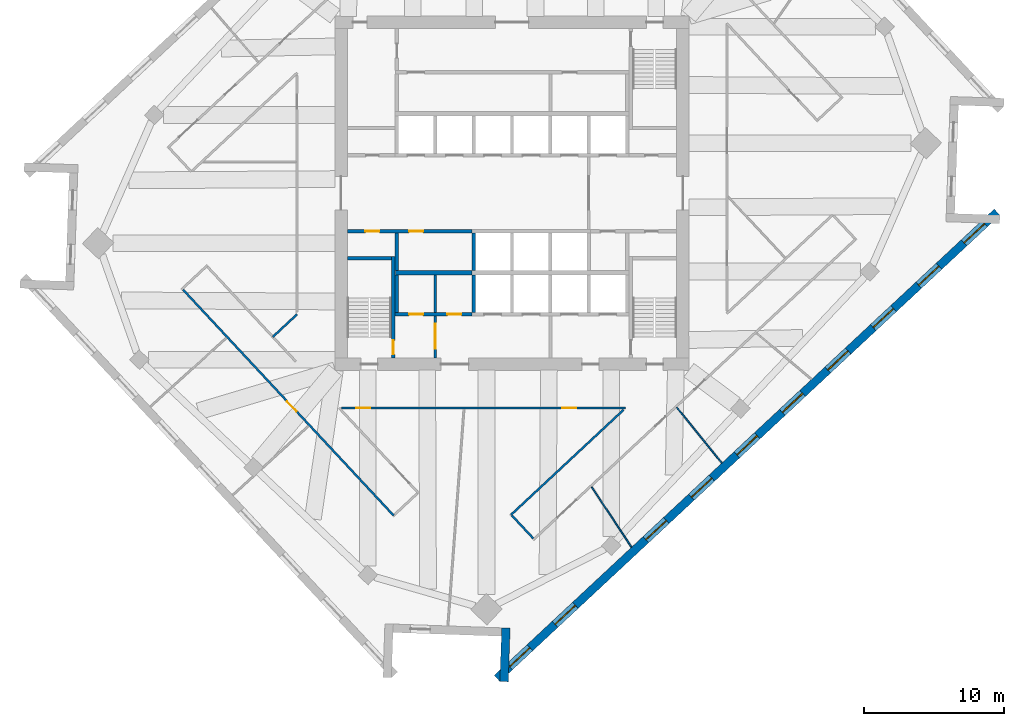
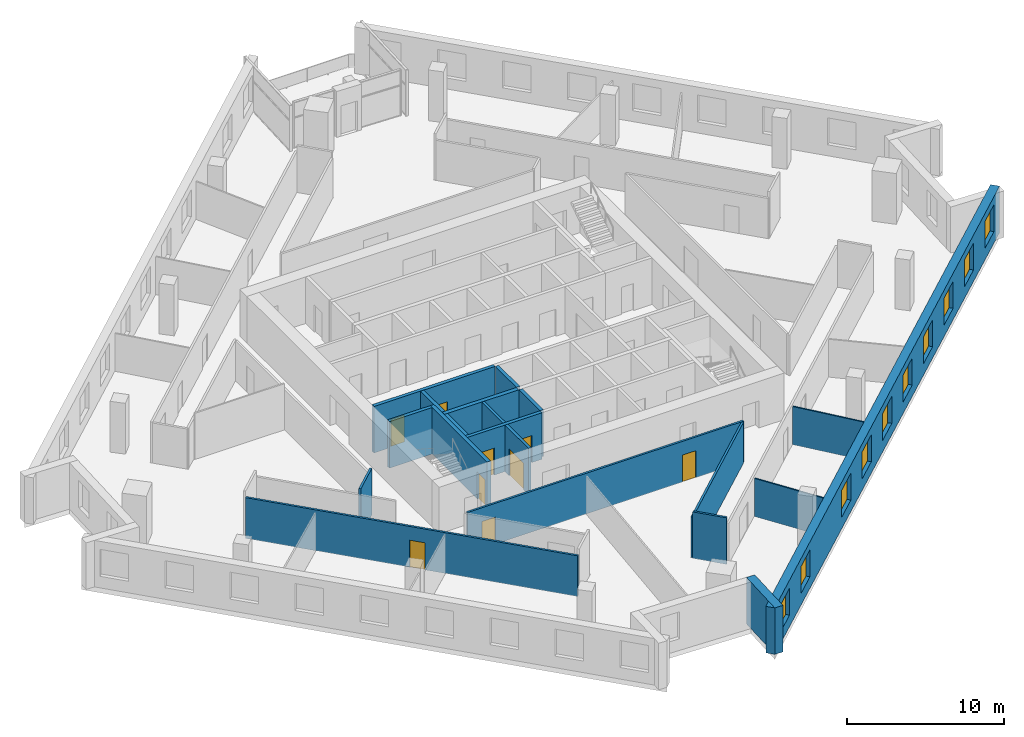
# One storey, part 4 of 10: 20 walls, 10 windows, 9 doors, 19 openings.
"""IFC4 building model written with IfcOpenShell, lengths in metres."""

from ifc_helpers import new_model, si_unit, direction, frame, frame_2d, origin, place, context, subcontext, project, spatial, rectangle, extrude, material, layer, layer_set, type_object, element, fill, save


model = new_model("IFC4")

# Units and contexts
model_context = context("Model", 3, precision=1e-05, world=origin(), true_north=direction((0.0, 1.0)))
body_context = subcontext(model_context, "Body", "Model", "MODEL_VIEW")
ifc_project = project(units=[si_unit("LENGTHUNIT", "METRE"), si_unit("AREAUNIT", "SQUARE_METRE"), si_unit("VOLUMEUNIT", "CUBIC_METRE"), si_unit("PLANEANGLEUNIT", "RADIAN"), si_unit("MASSUNIT", "GRAM", prefix="KILO")], contexts=[model_context])

# Site, building, storey
site_placement = place(None, origin())
site = spatial("IfcSite", under=ifc_project, at=site_placement, CompositionType="ELEMENT")
building_placement = place(site_placement, origin())
building = spatial("IfcBuilding", under=site, at=building_placement, Name="Dilmun Exchange Tower", CompositionType="ELEMENT")
storey_placement = place(building_placement, frame((0.0, 0.0, 197.300048828125)))
storey = spatial("IfcBuildingStorey", under=building, at=storey_placement, Name="L46", CompositionType="ELEMENT", Elevation=197.300048828125)

# Wall, opening, door
ifc_material_1 = material(Name="Concrete C40/50", Category="concrete")
ifc_layer_1 = layer(ifc_material_1, 0.199951171875)
ifc_layer_set_1 = layer_set([ifc_layer_1], Name="Concrete C40/50")
wall_type_1 = type_object("IfcWallType", Name="Core partition wall 200", PredefinedType="PARTITIONING", material=ifc_layer_set_1)
wall_1_placement = place(storey_placement, frame((-5.5, -11.794921875, 0.0), z_axis=(0.0, 0.0, 1.0), x_axis=(0.0, 1.0, 0.0)))
wall_1 = element("IfcWall", 1, at=wall_1_placement, inside=storey, type_object=wall_type_1, Name="L46 core partition wall 01", PredefinedType="PARTITIONING", context=body_context, shape_type="SweptSolid", body=[
    extrude(rectangle(XDim=2.989990234375, YDim=0.199951171875, at=frame_2d((1.4951171875, 0.0))), origin(), (0.0, 0.0, 1.0), 3.619873046875),
])
opening_1_placement = place(wall_1_placement, frame((0.657470703125, 0.0, 0.0)))
opening_1 = element("IfcOpeningElement", 2, at=opening_1_placement, cuts=wall_1, Name="Opening CD5", PredefinedType="OPENING", context=body_context, shape_type="SweptSolid", body=[
    extrude(rectangle(XDim=1.800048828125, YDim=2.10009765625, at=frame_2d((0.89990234375, 1.050048828125))), frame((0.0, 0.10986328125, 0.0), z_axis=(0.0, -1.0, 0.0), x_axis=(1.0, 0.0, 0.0)), (0.0, 0.0, 1.0), 0.219970703125),
])
ifc_material_2 = material(Name="Fire-rated steel door set", Category="steel")
door_type_1 = type_object("IfcDoorType", Name="Stair exit door 1800x2100", OperationType="SINGLE_SWING_LEFT", PredefinedType="DOOR", material=ifc_material_2)
door_1_placement = place(opening_1_placement, origin())
door_1 = element("IfcDoor", 3, at=door_1_placement, inside=storey, type_object=door_type_1, Name="L46 door Service lobby east", OperationType="SINGLE_SWING_LEFT", OverallHeight=2.10009765625, OverallWidth=1.800048828125, PredefinedType="DOOR", context=body_context, shape_type="SweptSolid", body=[
    extrude(rectangle(XDim=1.800048828125, YDim=2.10009765625, at=frame_2d((0.89990234375, 1.050048828125))), frame((0.0, 0.02490234375, 0.0), z_axis=(0.0, -1.0, 0.0), x_axis=(1.0, 0.0, 0.0)), (0.0, 0.0, 1.0), 0.050048828125),
])
fill(opening_1, door_1)

# Wall
wall_2_placement = place(storey_placement, frame((-5.5, -8.544921875, 0.0), z_axis=(0.0, 0.0, 1.0), x_axis=(0.0, 1.0, 0.0)))
element("IfcWall", 4, at=wall_2_placement, inside=storey, type_object=wall_type_1, Name="L46 core partition wall 05", PredefinedType="PARTITIONING", context=body_context, shape_type="SweptSolid", body=[
    extrude(rectangle(XDim=2.68994140625, YDim=0.199951171875, at=frame_2d((1.344970703125, 0.0))), origin(), (0.0, 0.0, 1.0), 3.619873046875),
])

# Wall, openings, doors
ifc_layer_2 = layer(ifc_material_1, 0.25)
ifc_layer_set_2 = layer_set([ifc_layer_2], Name="Concrete C40/50")
wall_type_2 = type_object("IfcWallType", Name="Core partition wall 250", PredefinedType="PARTITIONING", material=ifc_layer_set_2)
wall_3_placement = place(storey_placement, frame((-8.3701171875, -8.675048828125, 0.0), z_axis=(0.0, 0.0, 1.0), x_axis=(1.0, 0.0, 0.0)))
wall_3 = element("IfcWall", 5, at=wall_3_placement, inside=storey, type_object=wall_type_2, Name="L46 core partition wall 03", PredefinedType="PARTITIONING", context=body_context, shape_type="SweptSolid", body=[
    extrude(rectangle(XDim=5.490234375, YDim=0.25, at=frame_2d((2.7451171875, 0.0))), origin(), (0.0, 0.0, 1.0), 3.619873046875),
])
opening_2_placement = place(wall_3_placement, frame((0.9951171875, 0.0, 0.0)))
opening_2 = element("IfcOpeningElement", 6, at=opening_2_placement, cuts=wall_3, Name="Opening CD4", PredefinedType="OPENING", context=body_context, shape_type="SweptSolid", body=[
    extrude(rectangle(XDim=1.0, YDim=2.10009765625, at=frame_2d((0.5, 1.050048828125))), frame((0.0, 0.135009765625, 0.0), z_axis=(0.0, -1.0, 0.0), x_axis=(1.0, 0.0, 0.0)), (0.0, 0.0, 1.0), 0.27001953125),
])
opening_3_placement = place(wall_3_placement, frame((3.7451171875, 0.0, 0.0)))
opening_3 = element("IfcOpeningElement", 7, at=opening_3_placement, cuts=wall_3, Name="Opening CD4", PredefinedType="OPENING", context=body_context, shape_type="SweptSolid", body=[
    extrude(rectangle(XDim=1.0, YDim=2.10009765625, at=frame_2d((0.5, 1.050048828125))), frame((0.0, 0.135009765625, 0.0), z_axis=(0.0, -1.0, 0.0), x_axis=(1.0, 0.0, 0.0)), (0.0, 0.0, 1.0), 0.27001953125),
])
door_type_2 = type_object("IfcDoorType", Name="Core room door 1000x2100", OperationType="SINGLE_SWING_LEFT", PredefinedType="DOOR", material=ifc_material_2)
door_2_placement = place(opening_2_placement, origin())
door_2 = element("IfcDoor", 8, at=door_2_placement, inside=storey, type_object=door_type_2, Name="L46 door Male WC", OperationType="SINGLE_SWING_LEFT", OverallHeight=2.10009765625, OverallWidth=1.0, PredefinedType="DOOR", context=body_context, shape_type="SweptSolid", body=[
    extrude(rectangle(XDim=1.0, YDim=2.10009765625, at=frame_2d((0.5, 1.050048828125))), frame((0.0, 0.02490234375, 0.0), z_axis=(0.0, -1.0, 0.0), x_axis=(1.0, 0.0, 0.0)), (0.0, 0.0, 1.0), 0.050048828125),
])
fill(opening_2, door_2)
door_3_placement = place(opening_3_placement, origin())
door_3 = element("IfcDoor", 9, at=door_3_placement, inside=storey, type_object=door_type_2, Name="L46 door Female WC", OperationType="SINGLE_SWING_LEFT", OverallHeight=2.10009765625, OverallWidth=1.0, PredefinedType="DOOR", context=body_context, shape_type="SweptSolid", body=[
    extrude(rectangle(XDim=1.0, YDim=2.10009765625, at=frame_2d((0.5, 1.050048828125))), frame((0.0, 0.02490234375, 0.0), z_axis=(0.0, -1.0, 0.0), x_axis=(1.0, 0.0, 0.0)), (0.0, 0.0, 1.0), 0.050048828125),
])
fill(opening_3, door_3)

# Walls
for number, where, z_axis, x_axis, name in (
    (10, (-8.25, -8.544921875, 0.0), (0.0, 0.0, 1.0), (0.0, 1.0, 0.0), "L46 core partition wall 04"),
    (11, (-8.25, -5.544921875, 0.0), (0.0, 0.0, 1.0), (0.0, 1.0, 0.0), "L46 core partition wall 07"),
):
    element("IfcWall", number, at=place(storey_placement, frame(where, z_axis=z_axis, x_axis=x_axis)), inside=storey, type_object=wall_type_2, Name=name, PredefinedType="PARTITIONING", context=body_context, shape_type="SweptSolid", body=[
        extrude(rectangle(XDim=2.68994140625, YDim=0.25, at=frame_2d((1.344970703125, 0.0))), origin(), (0.0, 0.0, 1.0), 3.619873046875),
    ])

# Wall, openings, doors
wall_4_placement = place(storey_placement, frame((-11.794921875, -2.72509765625, 0.0), z_axis=(0.0, 0.0, 1.0), x_axis=(1.0, 0.0, 0.0)))
wall_4 = element("IfcWall", 12, at=wall_4_placement, inside=storey, type_object=wall_type_2, Name="L46 core partition wall 09", PredefinedType="PARTITIONING", context=body_context, shape_type="SweptSolid", body=[
    extrude(rectangle(XDim=8.9150390625, YDim=0.25, at=frame_2d((4.45751953125, 0.0))), origin(), (0.0, 0.0, 1.0), 3.619873046875),
])
opening_4_placement = place(wall_4_placement, frame((1.294921875, 0.0, 0.0)))
opening_4 = element("IfcOpeningElement", 13, at=opening_4_placement, cuts=wall_4, Name="Opening CD4", PredefinedType="OPENING", context=body_context, shape_type="SweptSolid", body=[
    extrude(rectangle(XDim=1.0, YDim=2.10009765625, at=frame_2d((0.5, 1.050048828125))), frame((0.0, 0.135009765625, 0.0), z_axis=(0.0, -1.0, 0.0), x_axis=(1.0, 0.0, 0.0)), (0.0, 0.0, 1.0), 0.27001953125),
])
opening_5_placement = place(wall_4_placement, frame((4.419921875, 0.0, 0.0)))
opening_5 = element("IfcOpeningElement", 14, at=opening_5_placement, cuts=wall_4, Name="Opening CD4", PredefinedType="OPENING", context=body_context, shape_type="SweptSolid", body=[
    extrude(rectangle(XDim=1.0, YDim=2.10009765625, at=frame_2d((0.5, 1.050048828125))), frame((0.0, 0.135009765625, 0.0), z_axis=(0.0, -1.0, 0.0), x_axis=(1.0, 0.0, 0.0)), (0.0, 0.0, 1.0), 0.27001953125),
])
door_4_placement = place(opening_4_placement, origin())
door_4 = element("IfcDoor", 15, at=door_4_placement, inside=storey, type_object=door_type_2, Name="L46 door Accessible WC", OperationType="SINGLE_SWING_LEFT", OverallHeight=2.10009765625, OverallWidth=1.0, PredefinedType="DOOR", context=body_context, shape_type="SweptSolid", body=[
    extrude(rectangle(XDim=1.0, YDim=2.10009765625, at=frame_2d((0.5, 1.050048828125))), frame((0.0, 0.02490234375, 0.0), z_axis=(0.0, -1.0, 0.0), x_axis=(1.0, 0.0, 0.0)), (0.0, 0.0, 1.0), 0.050048828125),
])
fill(opening_4, door_4)
door_5_placement = place(opening_5_placement, origin())
door_5 = element("IfcDoor", 16, at=door_5_placement, inside=storey, type_object=door_type_2, Name="L46 door Print and mail room", OperationType="SINGLE_SWING_LEFT", OverallHeight=2.10009765625, OverallWidth=1.0, PredefinedType="DOOR", context=body_context, shape_type="SweptSolid", body=[
    extrude(rectangle(XDim=1.0, YDim=2.10009765625, at=frame_2d((0.5, 1.050048828125))), frame((0.0, 0.02490234375, 0.0), z_axis=(0.0, -1.0, 0.0), x_axis=(1.0, 0.0, 0.0)), (0.0, 0.0, 1.0), 0.050048828125),
])
fill(opening_5, door_5)

# Wall
ifc_layer_3 = layer(ifc_material_1, 0.300048828125)
ifc_layer_set_3 = layer_set([ifc_layer_3], Name="Concrete C40/50")
wall_type_3 = type_object("IfcWallType", Name="Core partition wall 300", PredefinedType="PARTITIONING", material=ifc_layer_set_3)
wall_5_placement = place(storey_placement, frame((-8.35009765625, -5.699951171875, 0.0), z_axis=(0.0, 0.0, 1.0), x_axis=(1.0, 0.0, 0.0)))
element("IfcWall", 17, at=wall_5_placement, inside=storey, type_object=wall_type_3, Name="L46 core partition wall 06", PredefinedType="PARTITIONING", context=body_context, shape_type="SweptSolid", body=[
    extrude(rectangle(XDim=5.47021484375, YDim=0.300048828125, at=frame_2d((2.735107421875, 0.0))), origin(), (0.0, 0.0, 1.0), 3.619873046875),
])

# Wall, opening, door
ifc_material_3 = material(Name="Corridor wall 150")
ifc_layer_4 = layer(ifc_material_3, 0.14990234375)
ifc_layer_set_4 = layer_set([ifc_layer_4], Name="Corridor wall 150")
wall_type_4 = type_object("IfcWallType", Name="Corridor wall 150", PredefinedType="PARTITIONING", material=ifc_layer_set_4)
wall_6_placement = place(storey_placement, frame((-23.581787109375, -6.906982421875, 0.0), z_axis=(0.0, 0.0, 1.0), x_axis=(0.68201130552, -0.73134162957, 0.0)))
wall_6 = element("IfcWall", 18, at=wall_6_placement, inside=storey, type_object=wall_type_4, Name="Corridor wall", PredefinedType="PARTITIONING", context=body_context, shape_type="SweptSolid", body=[
    extrude(rectangle(XDim=22.13720703125, YDim=0.14990234375, at=frame_2d((11.068603515625, 0.0))), origin(), (0.0, 0.0, 1.0), 3.169921875),
])
opening_6_placement = place(wall_6_placement, frame((10.953369140625, 0.0, 0.0)))
opening_6 = element("IfcOpeningElement", 19, at=opening_6_placement, cuts=wall_6, Name="Opening TF46-D03", PredefinedType="OPENING", context=body_context, shape_type="SweptSolid", body=[
    extrude(rectangle(XDim=1.0, YDim=2.10009765625, at=frame_2d((0.5, 1.050048828125))), frame((0.0, 0.0849609375, 0.0), z_axis=(0.0, -1.0, 0.0), x_axis=(1.0, 0.0, 0.0)), (0.0, 0.0, 1.0), 0.169921875),
])
ifc_material_4 = material(Name="Fire door 1000 x 2100")
door_type_3 = type_object("IfcDoorType", Name="Fire door 1000 x 2100", OperationType="NOTDEFINED", PredefinedType="DOOR", material=ifc_material_4)
door_6_placement = place(opening_6_placement, frame((1.0, 0.0, 0.0), z_axis=(0.0, 0.0, 1.0), x_axis=(-1.0, 0.0, 0.0)))
door_6 = element("IfcDoor", 20, at=door_6_placement, inside=storey, type_object=door_type_3, Name="Door TF46-D03", OperationType="SINGLE_SWING_RIGHT", OverallHeight=2.10009765625, OverallWidth=1.0, PredefinedType="DOOR", context=body_context, shape_type="SweptSolid", body=[
    extrude(rectangle(XDim=1.0, YDim=2.10009765625, at=frame_2d((0.5, 1.050048828125))), frame((0.0, 0.02490234375, 0.0), z_axis=(0.0, -1.0, 0.0), x_axis=(1.0, 0.0, 0.0)), (0.0, 0.0, 1.0), 0.050048828125),
])
fill(opening_6, door_6)

# Wall
wall_7_placement = place(storey_placement, frame((-17.139892578125, -10.294921875, 0.0), z_axis=(0.0, 0.0, 1.0), x_axis=(0.731509059071, 0.681831721539, 0.0)))
element("IfcWall", 21, at=wall_7_placement, inside=storey, type_object=wall_type_4, Name="Corridor wall", PredefinedType="PARTITIONING", context=body_context, shape_type="SweptSolid", body=[
    extrude(rectangle(XDim=2.378662109375, YDim=0.14990234375, at=frame_2d((1.189453125, 0.0))), origin(), (0.0, 0.0, 1.0), 3.619873046875),
])

# Wall, openings, doors
wall_8_placement = place(storey_placement, frame((-12.20751953125, -15.39990234375, 0.0), z_axis=(0.0, 0.0, 1.0), x_axis=(1.0, 0.0, 0.0)))
wall_8 = element("IfcWall", 22, at=wall_8_placement, inside=storey, type_object=wall_type_4, Name="Corridor wall", PredefinedType="PARTITIONING", context=body_context, shape_type="SweptSolid", body=[
    extrude(rectangle(XDim=20.33642578125, YDim=0.14990234375, at=frame_2d((10.168212890625, 0.0))), origin(), (0.0, 0.0, 1.0), 3.169921875),
])
opening_7_placement = place(wall_8_placement, frame((1.050048828125, 0.0, 0.0)))
opening_7 = element("IfcOpeningElement", 23, at=opening_7_placement, cuts=wall_8, Name="Opening TF46-D08", PredefinedType="OPENING", context=body_context, shape_type="SweptSolid", body=[
    extrude(rectangle(XDim=1.0, YDim=2.10009765625, at=frame_2d((0.5, 1.050048828125))), frame((0.0, 0.0849609375, 0.0), z_axis=(0.0, -1.0, 0.0), x_axis=(1.0, 0.0, 0.0)), (0.0, 0.0, 1.0), 0.169921875),
])
opening_8_placement = place(wall_8_placement, frame((15.818359375, 0.0, 0.0)))
opening_8 = element("IfcOpeningElement", 24, at=opening_8_placement, cuts=wall_8, Name="Opening TF46-D10", PredefinedType="OPENING", context=body_context, shape_type="SweptSolid", body=[
    extrude(rectangle(XDim=1.0, YDim=2.10009765625, at=frame_2d((0.5, 1.050048828125))), frame((0.0, 0.0849609375, 0.0), z_axis=(0.0, -1.0, 0.0), x_axis=(1.0, 0.0, 0.0)), (0.0, 0.0, 1.0), 0.169921875),
])
door_7_placement = place(opening_7_placement, frame((1.0, 0.0, 0.0), z_axis=(0.0, 0.0, 1.0), x_axis=(-1.0, 0.0, 0.0)))
door_7 = element("IfcDoor", 25, at=door_7_placement, inside=storey, type_object=door_type_3, Name="Door TF46-D08", OperationType="SINGLE_SWING_RIGHT", OverallHeight=2.10009765625, OverallWidth=1.0, PredefinedType="DOOR", context=body_context, shape_type="SweptSolid", body=[
    extrude(rectangle(XDim=1.0, YDim=2.10009765625, at=frame_2d((0.5, 1.050048828125))), frame((0.0, 0.02490234375, 0.0), z_axis=(0.0, -1.0, 0.0), x_axis=(1.0, 0.0, 0.0)), (0.0, 0.0, 1.0), 0.050048828125),
])
fill(opening_7, door_7)
door_8_placement = place(opening_8_placement, frame((1.0, 0.0, 0.0), z_axis=(0.0, 0.0, 1.0), x_axis=(-1.0, 0.0, 0.0)))
door_8 = element("IfcDoor", 26, at=door_8_placement, inside=storey, type_object=door_type_3, Name="Door TF46-D10", OperationType="SINGLE_SWING_LEFT", OverallHeight=2.10009765625, OverallWidth=1.0, PredefinedType="DOOR", context=body_context, shape_type="SweptSolid", body=[
    extrude(rectangle(XDim=1.0, YDim=2.10009765625, at=frame_2d((0.5, 1.050048828125))), frame((0.0, 0.02490234375, 0.0), z_axis=(0.0, -1.0, 0.0), x_axis=(1.0, 0.0, 0.0)), (0.0, 0.0, 1.0), 0.050048828125),
])
fill(opening_8, door_8)

# Walls
wall_9_placement = place(storey_placement, frame((-0.06103515625, -23.0380859375, 0.0), z_axis=(0.0, 0.0, 1.0), x_axis=(0.731316284431, 0.682038482878, 0.0)))
element("IfcWall", 27, at=wall_9_placement, inside=storey, type_object=wall_type_4, Name="Corridor wall", PredefinedType="PARTITIONING", context=body_context, shape_type="SweptSolid", body=[
    extrude(rectangle(XDim=11.008544921875, YDim=0.14990234375, at=frame_2d((5.50439453125, 0.0))), origin(), (0.0, 0.0, 1.0), 3.169921875),
])
wall_10_placement = place(storey_placement, frame((-0.009765625, -23.0927734375, 0.0), z_axis=(0.0, 0.0, 1.0), x_axis=(0.682101713431, -0.731257309388, 0.0)))
element("IfcWall", 28, at=wall_10_placement, inside=storey, type_object=wall_type_4, Name="Corridor wall", PredefinedType="PARTITIONING", context=body_context, shape_type="SweptSolid", body=[
    extrude(rectangle(XDim=2.25, YDim=0.14990234375, at=frame_2d((1.125, 0.0))), origin(), (0.0, 0.0, 1.0), 3.619873046875),
])
ifc_layer_5 = layer(ifc_material_1, 0.25)
ifc_layer_set_5 = layer_set([ifc_layer_5], Name="Concrete C40/50")
wall_type_5 = type_object("IfcWallType", Name="Lift shaft wall 250", PredefinedType="SOLIDWALL", material=ifc_layer_set_5)
for number, where, z_axis, x_axis, name in (
    (29, (-2.75, -5.550048828125, 0.0), (0.0, 0.0, 1.0), (0.0, 1.0, 0.0), "L46 lift shaft divider S12"),
    (30, (-2.75, -8.550048828125, 0.0), (0.0, 0.0, 1.0), (0.0, 1.0, 0.0), "L46 lift shaft divider S22"),
):
    element("IfcWall", number, at=place(storey_placement, frame(where, z_axis=z_axis, x_axis=x_axis)), inside=storey, type_object=wall_type_5, Name=name, PredefinedType="SOLIDWALL", context=body_context, shape_type="SweptSolid", body=[
        extrude(rectangle(XDim=2.699951171875, YDim=0.25, at=frame_2d((1.35009765625, 0.0))), origin(), (0.0, 0.0, 1.0), 3.619873046875),
    ])
ifc_material_5 = material(Name="Partition 100")
ifc_layer_6 = layer(ifc_material_5, 0.10009765625)
ifc_layer_set_6 = layer_set([ifc_layer_6], Name="Partition 100")
wall_type_6 = type_object("IfcWallType", Name="Partition 100", PredefinedType="PARTITIONING", material=ifc_layer_set_6)
wall_11_placement = place(storey_placement, frame((5.710693359375, -21.051513671875, 0.0), z_axis=(0.0, 0.0, 1.0), x_axis=(0.55163930412, -0.834082776557, 0.0)))
element("IfcWall", 31, at=wall_11_placement, inside=storey, type_object=wall_type_6, Name="Partition", PredefinedType="PARTITIONING", context=body_context, shape_type="SweptSolid", body=[
    extrude(rectangle(XDim=5.178466796875, YDim=0.10009765625, at=frame_2d((2.58935546875, 0.0))), origin(), (0.0, 0.0, 1.0), 2.969970703125),
])
wall_12_placement = place(storey_placement, frame((11.8115234375, -15.35498046875, 0.0), z_axis=(0.0, 0.0, 1.0), x_axis=(0.629927020313, -0.776654330497, 0.0)))
element("IfcWall", 32, at=wall_12_placement, inside=storey, type_object=wall_type_6, Name="Partition", PredefinedType="PARTITIONING", context=body_context, shape_type="SweptSolid", body=[
    extrude(rectangle(XDim=5.124755859375, YDim=0.10009765625, at=frame_2d((2.5625, 0.0))), origin(), (0.0, 0.0, 1.0), 2.969970703125),
])
ifc_material_6 = material(Name="Precast concrete C50/60", Category="concrete")
ifc_layer_7 = layer(ifc_material_6, 0.60009765625)
ifc_layer_set_7 = layer_set([ifc_layer_7], Name="Precast concrete C50/60")
wall_type_7 = type_object("IfcWallType", Name="Precast stone-clad wall 600", PredefinedType="STANDARD", material=ifc_layer_set_7)
wall_13_placement = place(storey_placement, frame((-0.43408203125, -31.1591796875, 0.0), z_axis=(0.0, 0.0, 1.0), x_axis=(-0.034908217157, -0.999390522456, 0.0)))
element("IfcWall", 33, at=wall_13_placement, inside=storey, type_object=wall_type_7, Name="Facade wall L46-10", PredefinedType="STANDARD", context=body_context, shape_type="SweptSolid", body=[
    extrude(rectangle(XDim=3.8466796875, YDim=0.60009765625, at=frame_2d((1.92333984375, 0.0))), origin(), (0.0, 0.0, 1.0), 3.619873046875),
])

# Wall, openings, windows
wall_14_placement = place(storey_placement, frame((-1.07275390625, -34.7734375, 0.0), z_axis=(0.0, 0.0, 1.0), x_axis=(0.731351780381, 0.682000420333, 0.0)))
wall_14 = element("IfcWall", 34, at=wall_14_placement, inside=storey, type_object=wall_type_7, Name="Facade wall L46-11", PredefinedType="STANDARD", context=body_context, shape_type="SweptSolid", body=[
    extrude(rectangle(XDim=49.0, YDim=0.60009765625, at=frame_2d((24.5, 0.0))), origin(), (0.0, 0.0, 1.0), 3.619873046875),
])
opening_9_placement = place(wall_14_placement, frame((1.227294921875, 0.0, 0.89990234375)))
opening_9 = element("IfcOpeningElement", 35, at=opening_9_placement, cuts=wall_14, Name="Opening W200-210", PredefinedType="OPENING", context=body_context, shape_type="SweptSolid", body=[
    extrude(rectangle(XDim=2.0, YDim=2.10009765625, at=frame_2d((1.0, 1.050048828125))), frame((0.0, 0.31005859375, 0.0), z_axis=(0.0, -1.0, 0.0), x_axis=(1.0, 0.0, 0.0)), (0.0, 0.0, 1.0), 0.6201171875),
])
opening_10_placement = place(wall_14_placement, frame((5.681884765625, 0.0, 0.89990234375)))
opening_10 = element("IfcOpeningElement", 36, at=opening_10_placement, cuts=wall_14, Name="Opening W200-210", PredefinedType="OPENING", context=body_context, shape_type="SweptSolid", body=[
    extrude(rectangle(XDim=2.0, YDim=2.10009765625, at=frame_2d((1.0, 1.050048828125))), frame((0.0, 0.31005859375, 0.0), z_axis=(0.0, -1.0, 0.0), x_axis=(1.0, 0.0, 0.0)), (0.0, 0.0, 1.0), 0.6201171875),
])
opening_11_placement = place(wall_14_placement, frame((14.5908203125, 0.0, 0.89990234375)))
opening_11 = element("IfcOpeningElement", 37, at=opening_11_placement, cuts=wall_14, Name="Opening W200-210", PredefinedType="OPENING", context=body_context, shape_type="SweptSolid", body=[
    extrude(rectangle(XDim=2.0, YDim=2.10009765625, at=frame_2d((1.0, 1.050048828125))), frame((0.0, 0.31005859375, 0.0), z_axis=(0.0, -1.0, 0.0), x_axis=(1.0, 0.0, 0.0)), (0.0, 0.0, 1.0), 0.6201171875),
])
opening_12_placement = place(wall_14_placement, frame((19.04541015625, 0.0, 0.89990234375)))
opening_12 = element("IfcOpeningElement", 38, at=opening_12_placement, cuts=wall_14, Name="Opening W200-210", PredefinedType="OPENING", context=body_context, shape_type="SweptSolid", body=[
    extrude(rectangle(XDim=2.0, YDim=2.10009765625, at=frame_2d((1.0, 1.050048828125))), frame((0.0, 0.31005859375, 0.0), z_axis=(0.0, -1.0, 0.0), x_axis=(1.0, 0.0, 0.0)), (0.0, 0.0, 1.0), 0.6201171875),
])
opening_13_placement = place(wall_14_placement, frame((23.5, 0.0, 0.89990234375)))
opening_13 = element("IfcOpeningElement", 39, at=opening_13_placement, cuts=wall_14, Name="Opening W200-210", PredefinedType="OPENING", context=body_context, shape_type="SweptSolid", body=[
    extrude(rectangle(XDim=2.0, YDim=2.10009765625, at=frame_2d((1.0, 1.050048828125))), frame((0.0, 0.31005859375, 0.0), z_axis=(0.0, -1.0, 0.0), x_axis=(1.0, 0.0, 0.0)), (0.0, 0.0, 1.0), 0.6201171875),
])
opening_14_placement = place(wall_14_placement, frame((27.95458984375, 0.0, 0.89990234375)))
opening_14 = element("IfcOpeningElement", 40, at=opening_14_placement, cuts=wall_14, Name="Opening W200-210", PredefinedType="OPENING", context=body_context, shape_type="SweptSolid", body=[
    extrude(rectangle(XDim=2.0, YDim=2.10009765625, at=frame_2d((1.0, 1.050048828125))), frame((0.0, 0.31005859375, 0.0), z_axis=(0.0, -1.0, 0.0), x_axis=(1.0, 0.0, 0.0)), (0.0, 0.0, 1.0), 0.6201171875),
])
opening_15_placement = place(wall_14_placement, frame((32.4091796875, 0.0, 0.89990234375)))
opening_15 = element("IfcOpeningElement", 41, at=opening_15_placement, cuts=wall_14, Name="Opening W200-210", PredefinedType="OPENING", context=body_context, shape_type="SweptSolid", body=[
    extrude(rectangle(XDim=2.0, YDim=2.10009765625, at=frame_2d((1.0, 1.050048828125))), frame((0.0, 0.31005859375, 0.0), z_axis=(0.0, -1.0, 0.0), x_axis=(1.0, 0.0, 0.0)), (0.0, 0.0, 1.0), 0.6201171875),
])
opening_16_placement = place(wall_14_placement, frame((36.863525390625, 0.0, 0.89990234375)))
opening_16 = element("IfcOpeningElement", 42, at=opening_16_placement, cuts=wall_14, Name="Opening W200-210", PredefinedType="OPENING", context=body_context, shape_type="SweptSolid", body=[
    extrude(rectangle(XDim=2.0, YDim=2.10009765625, at=frame_2d((1.0, 1.050048828125))), frame((0.0, 0.31005859375, 0.0), z_axis=(0.0, -1.0, 0.0), x_axis=(1.0, 0.0, 0.0)), (0.0, 0.0, 1.0), 0.6201171875),
])
opening_17_placement = place(wall_14_placement, frame((41.318115234375, 0.0, 0.89990234375)))
opening_17 = element("IfcOpeningElement", 43, at=opening_17_placement, cuts=wall_14, Name="Opening W200-210", PredefinedType="OPENING", context=body_context, shape_type="SweptSolid", body=[
    extrude(rectangle(XDim=2.0, YDim=2.10009765625, at=frame_2d((1.0, 1.050048828125))), frame((0.0, 0.31005859375, 0.0), z_axis=(0.0, -1.0, 0.0), x_axis=(1.0, 0.0, 0.0)), (0.0, 0.0, 1.0), 0.6201171875),
])
opening_18_placement = place(wall_14_placement, frame((45.772705078125, 0.0, 0.89990234375)))
opening_18 = element("IfcOpeningElement", 44, at=opening_18_placement, cuts=wall_14, Name="Opening W200-210", PredefinedType="OPENING", context=body_context, shape_type="SweptSolid", body=[
    extrude(rectangle(XDim=2.0, YDim=2.10009765625, at=frame_2d((1.0, 1.050048828125))), frame((0.0, 0.31005859375, 0.0), z_axis=(0.0, -1.0, 0.0), x_axis=(1.0, 0.0, 0.0)), (0.0, 0.0, 1.0), 0.6201171875),
])
ifc_material_7 = material(Name="Clear low-emissivity glass in aluminium frame", Category="aluminium")
window_type = type_object("IfcWindowType", Name="Punched window 2000 x 2100", PartitioningType="DOUBLE_PANEL_VERTICAL", PredefinedType="WINDOW", material=ifc_material_7)
window_1_placement = place(opening_9_placement, origin())
window_1 = element("IfcWindow", 45, at=window_1_placement, inside=storey, type_object=window_type, Name="Window 12.1", OverallHeight=2.10009765625, OverallWidth=2.0, PartitioningType="SINGLE_PANEL", PredefinedType="WINDOW", context=body_context, shape_type="SweptSolid", body=[
    extrude(rectangle(XDim=2.0, YDim=2.10009765625, at=frame_2d((1.0, 1.050048828125))), frame((0.0, 0.030029296875, 0.0), z_axis=(0.0, -1.0, 0.0), x_axis=(1.0, 0.0, 0.0)), (0.0, 0.0, 1.0), 0.06005859375),
])
fill(opening_9, window_1)
window_2_placement = place(opening_10_placement, origin())
window_2 = element("IfcWindow", 46, at=window_2_placement, inside=storey, type_object=window_type, Name="Window 12.2", OverallHeight=2.10009765625, OverallWidth=2.0, PartitioningType="SINGLE_PANEL", PredefinedType="WINDOW", context=body_context, shape_type="SweptSolid", body=[
    extrude(rectangle(XDim=2.0, YDim=2.10009765625, at=frame_2d((1.0, 1.050048828125))), frame((0.0, 0.030029296875, 0.0), z_axis=(0.0, -1.0, 0.0), x_axis=(1.0, 0.0, 0.0)), (0.0, 0.0, 1.0), 0.06005859375),
])
fill(opening_10, window_2)
window_3_placement = place(opening_11_placement, origin())
window_3 = element("IfcWindow", 47, at=window_3_placement, inside=storey, type_object=window_type, Name="Window 12.4", OverallHeight=2.10009765625, OverallWidth=2.0, PartitioningType="SINGLE_PANEL", PredefinedType="WINDOW", context=body_context, shape_type="SweptSolid", body=[
    extrude(rectangle(XDim=2.0, YDim=2.10009765625, at=frame_2d((1.0, 1.050048828125))), frame((0.0, 0.030029296875, 0.0), z_axis=(0.0, -1.0, 0.0), x_axis=(1.0, 0.0, 0.0)), (0.0, 0.0, 1.0), 0.06005859375),
])
fill(opening_11, window_3)
window_4_placement = place(opening_12_placement, origin())
window_4 = element("IfcWindow", 48, at=window_4_placement, inside=storey, type_object=window_type, Name="Window 12.5", OverallHeight=2.10009765625, OverallWidth=2.0, PartitioningType="SINGLE_PANEL", PredefinedType="WINDOW", context=body_context, shape_type="SweptSolid", body=[
    extrude(rectangle(XDim=2.0, YDim=2.10009765625, at=frame_2d((1.0, 1.050048828125))), frame((0.0, 0.030029296875, 0.0), z_axis=(0.0, -1.0, 0.0), x_axis=(1.0, 0.0, 0.0)), (0.0, 0.0, 1.0), 0.06005859375),
])
fill(opening_12, window_4)
window_5_placement = place(opening_13_placement, origin())
window_5 = element("IfcWindow", 49, at=window_5_placement, inside=storey, type_object=window_type, Name="Window 12.6", OverallHeight=2.10009765625, OverallWidth=2.0, PartitioningType="SINGLE_PANEL", PredefinedType="WINDOW", context=body_context, shape_type="SweptSolid", body=[
    extrude(rectangle(XDim=2.0, YDim=2.10009765625, at=frame_2d((1.0, 1.050048828125))), frame((0.0, 0.030029296875, 0.0), z_axis=(0.0, -1.0, 0.0), x_axis=(1.0, 0.0, 0.0)), (0.0, 0.0, 1.0), 0.06005859375),
])
fill(opening_13, window_5)
window_6_placement = place(opening_14_placement, origin())
window_6 = element("IfcWindow", 50, at=window_6_placement, inside=storey, type_object=window_type, Name="Window 12.7", OverallHeight=2.10009765625, OverallWidth=2.0, PartitioningType="SINGLE_PANEL", PredefinedType="WINDOW", context=body_context, shape_type="SweptSolid", body=[
    extrude(rectangle(XDim=2.0, YDim=2.10009765625, at=frame_2d((1.0, 1.050048828125))), frame((0.0, 0.030029296875, 0.0), z_axis=(0.0, -1.0, 0.0), x_axis=(1.0, 0.0, 0.0)), (0.0, 0.0, 1.0), 0.06005859375),
])
fill(opening_14, window_6)
window_7_placement = place(opening_15_placement, origin())
window_7 = element("IfcWindow", 51, at=window_7_placement, inside=storey, type_object=window_type, Name="Window 12.8", OverallHeight=2.10009765625, OverallWidth=2.0, PartitioningType="SINGLE_PANEL", PredefinedType="WINDOW", context=body_context, shape_type="SweptSolid", body=[
    extrude(rectangle(XDim=2.0, YDim=2.10009765625, at=frame_2d((1.0, 1.050048828125))), frame((0.0, 0.030029296875, 0.0), z_axis=(0.0, -1.0, 0.0), x_axis=(1.0, 0.0, 0.0)), (0.0, 0.0, 1.0), 0.06005859375),
])
fill(opening_15, window_7)
window_8_placement = place(opening_16_placement, origin())
window_8 = element("IfcWindow", 52, at=window_8_placement, inside=storey, type_object=window_type, Name="Window 12.9", OverallHeight=2.10009765625, OverallWidth=2.0, PartitioningType="SINGLE_PANEL", PredefinedType="WINDOW", context=body_context, shape_type="SweptSolid", body=[
    extrude(rectangle(XDim=2.0, YDim=2.10009765625, at=frame_2d((1.0, 1.050048828125))), frame((0.0, 0.030029296875, 0.0), z_axis=(0.0, -1.0, 0.0), x_axis=(1.0, 0.0, 0.0)), (0.0, 0.0, 1.0), 0.06005859375),
])
fill(opening_16, window_8)
window_9_placement = place(opening_17_placement, origin())
window_9 = element("IfcWindow", 53, at=window_9_placement, inside=storey, type_object=window_type, Name="Window 12.10", OverallHeight=2.10009765625, OverallWidth=2.0, PartitioningType="SINGLE_PANEL", PredefinedType="WINDOW", context=body_context, shape_type="SweptSolid", body=[
    extrude(rectangle(XDim=2.0, YDim=2.10009765625, at=frame_2d((1.0, 1.050048828125))), frame((0.0, 0.030029296875, 0.0), z_axis=(0.0, -1.0, 0.0), x_axis=(1.0, 0.0, 0.0)), (0.0, 0.0, 1.0), 0.06005859375),
])
fill(opening_17, window_9)
window_10_placement = place(opening_18_placement, origin())
window_10 = element("IfcWindow", 54, at=window_10_placement, inside=storey, type_object=window_type, Name="Window 12.11", OverallHeight=2.10009765625, OverallWidth=2.0, PartitioningType="SINGLE_PANEL", PredefinedType="WINDOW", context=body_context, shape_type="SweptSolid", body=[
    extrude(rectangle(XDim=2.0, YDim=2.10009765625, at=frame_2d((1.0, 1.050048828125))), frame((0.0, 0.030029296875, 0.0), z_axis=(0.0, -1.0, 0.0), x_axis=(1.0, 0.0, 0.0)), (0.0, 0.0, 1.0), 0.06005859375),
])
fill(opening_18, window_10)

# Wall
ifc_layer_8 = layer(ifc_material_1, 0.25)
ifc_layer_set_8 = layer_set([ifc_layer_8], Name="Concrete C40/50")
wall_type_8 = type_object("IfcWallType", Name="Stair end wall 250", PredefinedType="SOLIDWALL", material=ifc_layer_set_8)
wall_15_placement = place(storey_placement, frame((-8.64990234375, -4.675048828125, 0.0), z_axis=(0.0, 0.0, 1.0), x_axis=(-1.0, 0.0, 0.0)))
element("IfcWall", 55, at=wall_15_placement, inside=storey, type_object=wall_type_8, Name="L46 ST2 far wall", PredefinedType="SOLIDWALL", context=body_context, shape_type="SweptSolid", body=[
    extrude(rectangle(XDim=3.150146484375, YDim=0.25, at=frame_2d((1.5751953125, 0.0))), origin(), (0.0, 0.0, 1.0), 3.619873046875),
])

# Wall, opening, door
ifc_layer_9 = layer(ifc_material_1, 0.27490234375)
ifc_layer_set_9 = layer_set([ifc_layer_9], Name="Concrete C40/50")
wall_type_9 = type_object("IfcWallType", Name="Stair wall 275", PredefinedType="SOLIDWALL", material=ifc_layer_set_9)
wall_16_placement = place(storey_placement, frame((-8.512451171875, -4.550048828125, 0.0), z_axis=(0.0, 0.0, 1.0), x_axis=(0.0, -1.0, 0.0)))
wall_16 = element("IfcWall", 56, at=wall_16_placement, inside=storey, type_object=wall_type_9, Name="L46 ST2 wall to lift block", PredefinedType="SOLIDWALL", context=body_context, shape_type="SweptSolid", body=[
    extrude(rectangle(XDim=7.25, YDim=0.27490234375, at=frame_2d((3.625, 0.0))), origin(), (0.0, 0.0, 1.0), 3.619873046875),
])
opening_19_placement = place(wall_16_placement, frame((6.0, 0.0, 0.0)))
opening_19 = element("IfcOpeningElement", 57, at=opening_19_placement, cuts=wall_16, Name="Opening CD4", PredefinedType="OPENING", context=body_context, shape_type="SweptSolid", body=[
    extrude(rectangle(XDim=1.0, YDim=2.10009765625, at=frame_2d((0.5, 1.050048828125))), frame((0.0, 0.1474609375, 0.0), z_axis=(0.0, -1.0, 0.0), x_axis=(1.0, 0.0, 0.0)), (0.0, 0.0, 1.0), 0.294921875),
])
door_9_placement = place(opening_19_placement, origin())
door_9 = element("IfcDoor", 58, at=door_9_placement, inside=storey, type_object=door_type_2, Name="L46 door ST2 from lobby", OperationType="SINGLE_SWING_LEFT", OverallHeight=2.10009765625, OverallWidth=1.0, PredefinedType="DOOR", context=body_context, shape_type="SweptSolid", body=[
    extrude(rectangle(XDim=1.0, YDim=2.10009765625, at=frame_2d((0.5, 1.050048828125))), frame((0.0, 0.02490234375, 0.0), z_axis=(0.0, -1.0, 0.0), x_axis=(1.0, 0.0, 0.0)), (0.0, 0.0, 1.0), 0.050048828125),
])
fill(opening_19, door_9)

save(model, "model.ifc")
